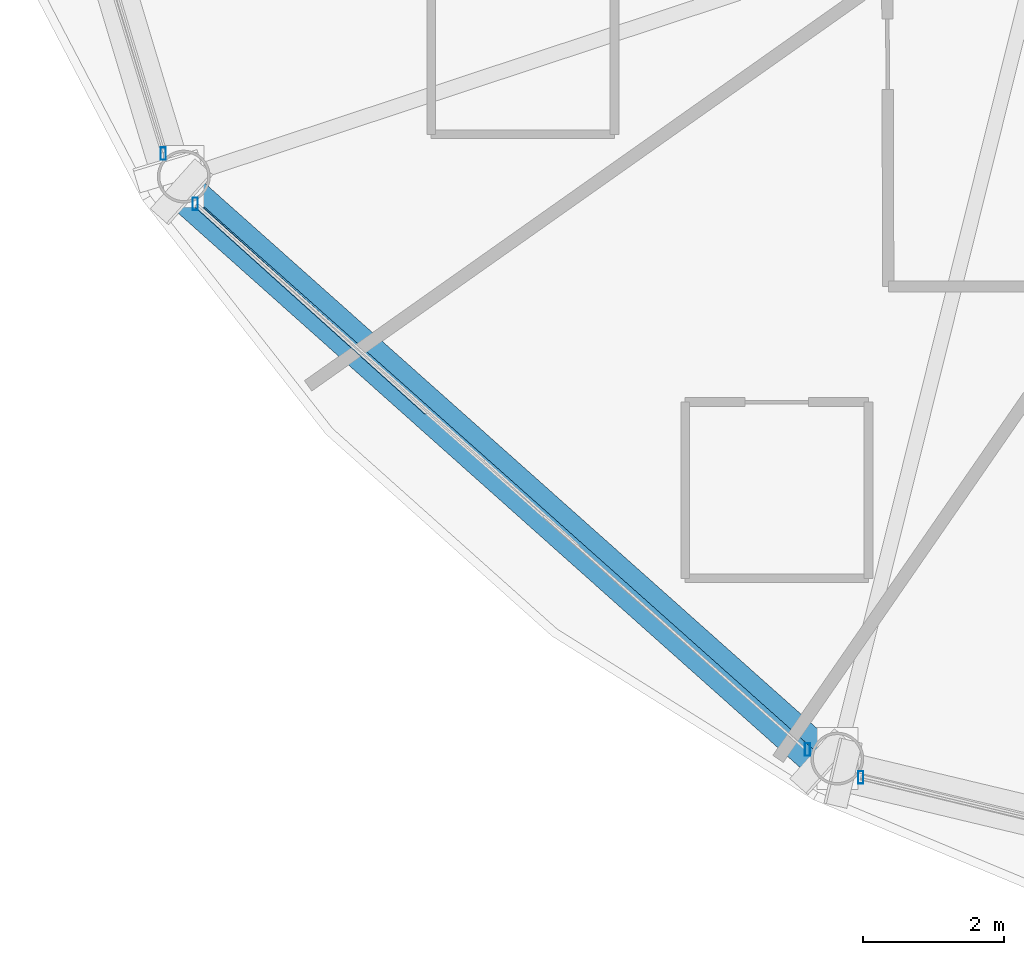
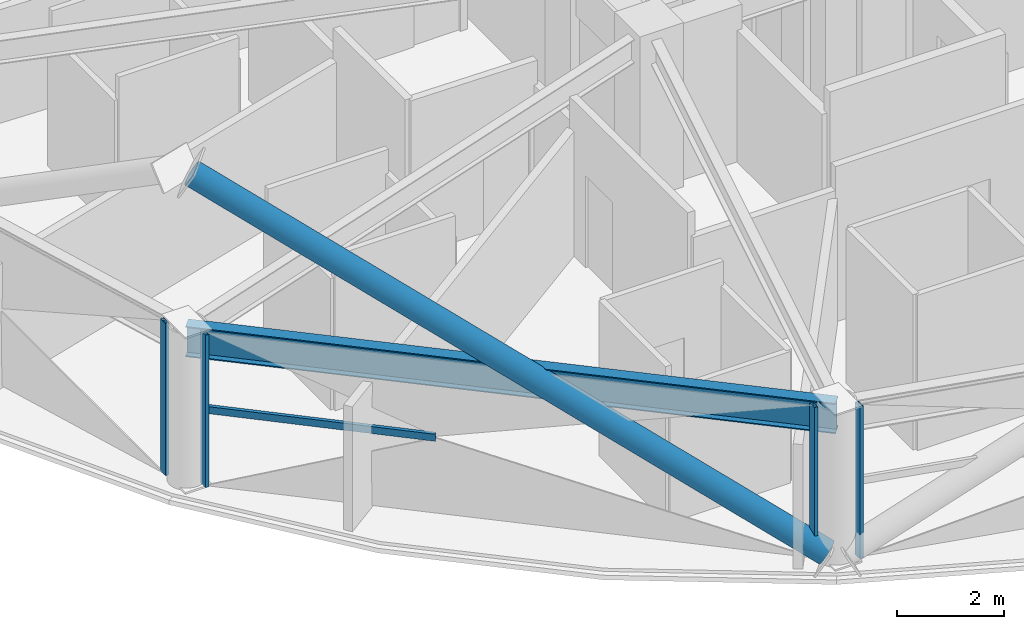
# One storey, part 2 of 30: 6 members, 1 beam, 3 elements without a shape of their own.
"""IFC4 building model written with IfcOpenShell, lengths in metres."""

from ifc_helpers import new_model, si_unit, direction, frame, origin, origin_2d, place, context, subcontext, project, spatial, hollow_rectangle, hollow_circle, i_section, extrude, material, layer, layer_set, material_profile, profile_set, type_object, element, aggregate, save


model = new_model("IFC4")

# Units and contexts
model_context = context("Model", 3, precision=1e-05, world=origin(), true_north=direction((0.0, 1.0)))
body_context = subcontext(model_context, "Body", "Model", "MODEL_VIEW")
ifc_project = project(units=[si_unit("LENGTHUNIT", "METRE"), si_unit("AREAUNIT", "SQUARE_METRE"), si_unit("VOLUMEUNIT", "CUBIC_METRE"), si_unit("PLANEANGLEUNIT", "RADIAN"), si_unit("MASSUNIT", "GRAM", prefix="KILO")], contexts=[model_context])

# Site, building, storey
site_placement = place(None, origin())
site = spatial("IfcSite", under=ifc_project, at=site_placement, CompositionType="ELEMENT")
building_placement = place(site_placement, origin())
building = spatial("IfcBuilding", under=site, at=building_placement, Name="Vantalir Tower", CompositionType="ELEMENT")
storey_placement = place(building_placement, frame((0.0, 0.0, 119.699951171875)))
storey = spatial("IfcBuildingStorey", under=building, at=storey_placement, Name="L29", CompositionType="ELEMENT", Elevation=119.699951171875)

# Beam
ifc_material_1 = material(Name="Steel S460", Category="steel")
ifc_material_profile_1 = material_profile(ifc_material_1, i_section(OverallWidth=0.256103515625, OverallDepth=0.693115234375, WebThickness=0.014404296875, FlangeThickness=0.023681640625, at=origin_2d()), Name="Steel S460")
ifc_profile_set_1 = profile_set([ifc_material_profile_1], Name="Steel S460")
beam_type = type_object("IfcBeamType", Name="BM-RG-686x254", PredefinedType="USERDEFINED", material=ifc_profile_set_1)
beam_placement = place(storey_placement, frame((9.554931640625, 13.717041015625, 3.22314453125), z_axis=(0.746791899704, -0.665057785862, 0.0), x_axis=(0.665057785862, 0.746791899704, 0.0)))
element("IfcBeam", 1, at=beam_placement, inside=storey, type_object=beam_type, Name="L29 Circumferential Ring Girder 08", ObjectType="GIRDER", PredefinedType="USERDEFINED", context=body_context, shape_type="SweptSolid", body=[
    extrude(i_section(OverallWidth=0.256103515625, OverallDepth=0.693115234375, WebThickness=0.014404296875, FlangeThickness=0.023681640625, at=origin_2d()), origin(), (0.0, 0.0, 1.0), 12.419921875),
])

# Curtain wall, member
ifc_material_2 = material(Name="Champagne-silver PVDF aluminium and double-silver Low-E glass", Category="aluminium")
ifc_layer = layer(ifc_material_2, 0.199951171875)
ifc_layer_set = layer_set([ifc_layer], Name="Champagne-silver PVDF aluminium and double-silver Low-E glass")
curtain_wall_type = type_object("IfcCurtainWallType", Name="CW-DIAMOND-Z2", PredefinedType="USERDEFINED", material=ifc_layer_set)
curtain_wall_1_placement = place(storey_placement, origin())
curtain_wall_1 = element("IfcCurtainWall", 2, at=curtain_wall_1_placement, inside=storey, type_object=curtain_wall_type, Name="L29 Quilted Pyramid-Diamond Curtain Wall S07", ObjectType="UNITISED CURTAIN WALL", PredefinedType="USERDEFINED")
ifc_material_3 = material(Name="Champagne-silver PVDF aluminium 6063-T6", Category="aluminium")
ifc_material_profile_2 = material_profile(ifc_material_3, hollow_rectangle(XDim=0.074951171875, YDim=0.179931640625, WallThickness=0.00390625, at=origin_2d()), Name="Champagne-silver PVDF aluminium 6063-T6")
ifc_profile_set_2 = profile_set([ifc_material_profile_2], Name="Champagne-silver PVDF aluminium 6063-T6")
member_type_1 = type_object("IfcMemberType", Name="CWM-180x75", PredefinedType="MULLION", material=ifc_profile_set_2)
member_1_placement = place(storey_placement, frame((9.262939453125, 14.04296875, 0.045166015625), z_axis=(0.0, 0.0, 1.0), x_axis=(1.0, 0.0, 0.0)))
member_1 = element("IfcMember", 3, at=member_1_placement, type_object=member_type_1, Name="CW-L29-S07 Mullion 2", PredefinedType="MULLION", context=body_context, shape_type="SweptSolid", body=[
    extrude(hollow_rectangle(XDim=0.074951171875, YDim=0.179931640625, WallThickness=0.00390625, at=origin_2d()), origin(), (0.0, 0.0, 1.0), 3.47998046875),
])
aggregate(curtain_wall_1, [member_1])

# Curtain wall, members
curtain_wall_2_placement = place(storey_placement, origin())
curtain_wall_2 = element("IfcCurtainWall", 4, at=curtain_wall_2_placement, inside=storey, type_object=curtain_wall_type, Name="L29 Quilted Pyramid-Diamond Curtain Wall S08", ObjectType="UNITISED CURTAIN WALL", PredefinedType="USERDEFINED")
member_2_placement = place(storey_placement, frame((9.718017578125, 13.3291015625, 0.045166015625), z_axis=(0.0, 0.0, 1.0), x_axis=(1.0, 0.0, 0.0)))
member_2 = element("IfcMember", 5, at=member_2_placement, type_object=member_type_1, Name="CW-L29-S08 Mullion 1", PredefinedType="MULLION", context=body_context, shape_type="SweptSolid", body=[
    extrude(hollow_rectangle(XDim=0.074951171875, YDim=0.179931640625, WallThickness=0.00390625, at=origin_2d()), origin(), (0.0, 0.0, 1.0), 3.47998046875),
])
member_3_placement = place(storey_placement, frame((18.406982421875, 5.5859375, 0.045166015625), z_axis=(0.0, 0.0, 1.0), x_axis=(1.0, 0.0, 0.0)))
member_3 = element("IfcMember", 6, at=member_3_placement, type_object=member_type_1, Name="CW-L29-S08 Mullion 2", PredefinedType="MULLION", context=body_context, shape_type="SweptSolid", body=[
    extrude(hollow_rectangle(XDim=0.074951171875, YDim=0.179931640625, WallThickness=0.00390625, at=origin_2d()), origin(), (0.0, 0.0, 1.0), 3.47998046875),
])

# Curtain wall, member
curtain_wall_3_placement = place(storey_placement, origin())
curtain_wall_3 = element("IfcCurtainWall", 7, at=curtain_wall_3_placement, inside=storey, type_object=curtain_wall_type, Name="L29 Quilted Pyramid-Diamond Curtain Wall S09", ObjectType="UNITISED CURTAIN WALL", PredefinedType="USERDEFINED")
member_4_placement = place(storey_placement, frame((19.1630859375, 5.19091796875, 0.045166015625), z_axis=(0.0, 0.0, 1.0), x_axis=(1.0, 0.0, 0.0)))
member_4 = element("IfcMember", 8, at=member_4_placement, type_object=member_type_1, Name="CW-L29-S09 Mullion 1", PredefinedType="MULLION", context=body_context, shape_type="SweptSolid", body=[
    extrude(hollow_rectangle(XDim=0.074951171875, YDim=0.179931640625, WallThickness=0.00390625, at=origin_2d()), origin(), (0.0, 0.0, 1.0), 3.47998046875),
])
aggregate(curtain_wall_3, [member_4])

# Member
ifc_material_profile_3 = material_profile(ifc_material_3, hollow_rectangle(XDim=0.074951171875, YDim=0.159912109375, WallThickness=0.00390625, at=origin_2d()), Name="Champagne-silver PVDF aluminium 6063-T6")
ifc_profile_set_3 = profile_set([ifc_material_profile_3], Name="Champagne-silver PVDF aluminium 6063-T6")
member_type_2 = type_object("IfcMemberType", Name="CWT-160x75", PredefinedType="USERDEFINED", material=ifc_profile_set_3)
member_5_placement = place(storey_placement, frame((9.718017578125, 13.3291015625, 1.78515625), z_axis=(0.743027576225, -0.669260801907, 0.0), x_axis=(0.669260801907, 0.743027576225, 0.0)))
member_5 = element("IfcMember", 9, at=member_5_placement, type_object=member_type_2, Name="CW-L29-S08 Pyramid Fold Ridge Transom", ObjectType="TRANSOM", PredefinedType="USERDEFINED", context=body_context, shape_type="SweptSolid", body=[
    extrude(hollow_rectangle(XDim=0.074951171875, YDim=0.159912109375, WallThickness=0.00390625, at=origin_2d()), origin(), (0.0, 0.0, 1.0), 4.41845703125),
])

aggregate(curtain_wall_2, [member_2, member_3, member_5])

ifc_material_profile_4 = material_profile(ifc_material_1, hollow_circle(Radius=0.260009765625, WallThickness=0.0380859375, at=origin_2d()), Name="Steel S460")
ifc_profile_set_4 = profile_set([ifc_material_profile_4], Name="Steel S460")
member_type_3 = type_object("IfcMemberType", Name="MEM-DB-520x38", PredefinedType="BRACE", material=ifc_profile_set_4)
member_6_placement = place(storey_placement, frame((18.592041015625, 5.419921875, 0.18896484375), z_axis=(-0.64795553905, 0.577582531386, 0.496540067722), x_axis=(-0.665407081999, -0.746480686439, 0.0)))
element("IfcMember", 10, at=member_6_placement, inside=storey, type_object=member_type_3, Name="L29 Perimeter S460 Diagrid Brace R25R", PredefinedType="BRACE", context=body_context, shape_type="SweptSolid", body=[
    extrude(hollow_circle(Radius=0.260009765625, WallThickness=0.0380859375, at=origin_2d()), origin(), (0.0, 0.0, 1.0), 13.98095703125),
])

save(model, "model.ifc")
